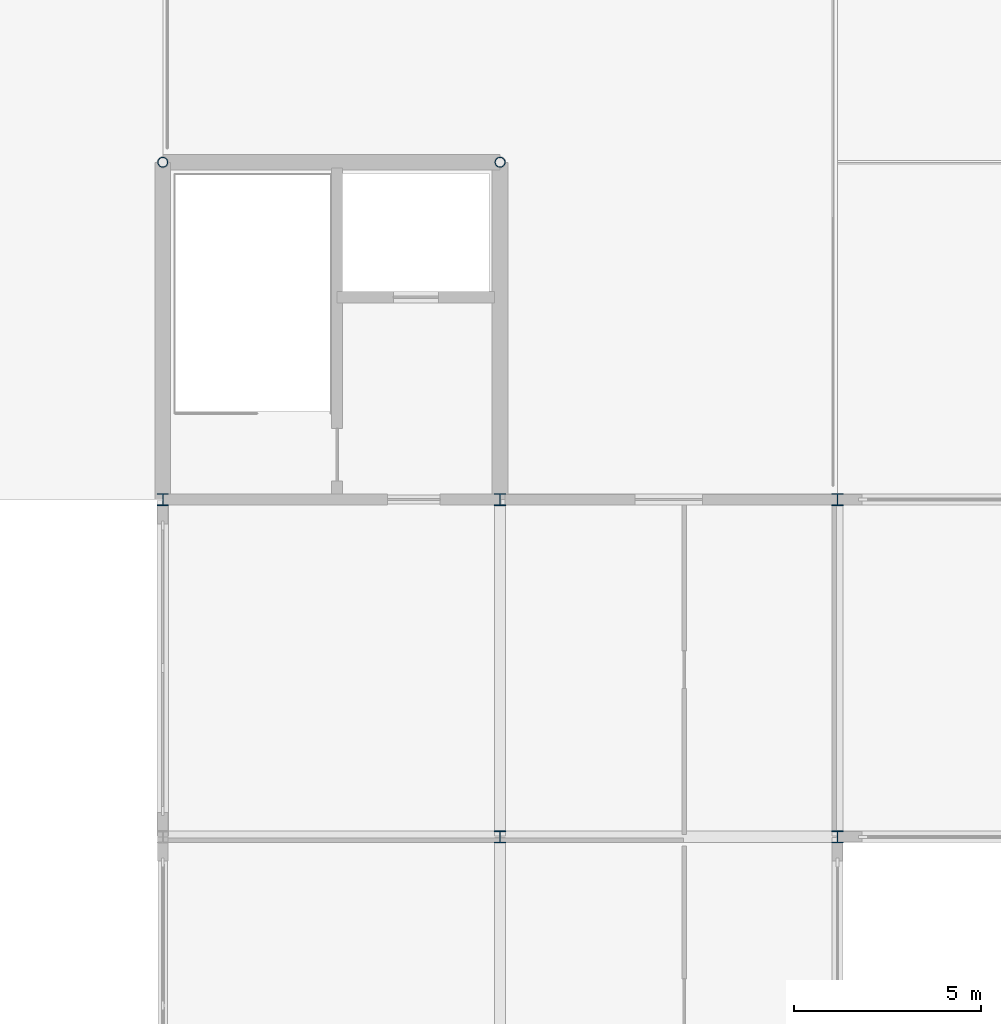
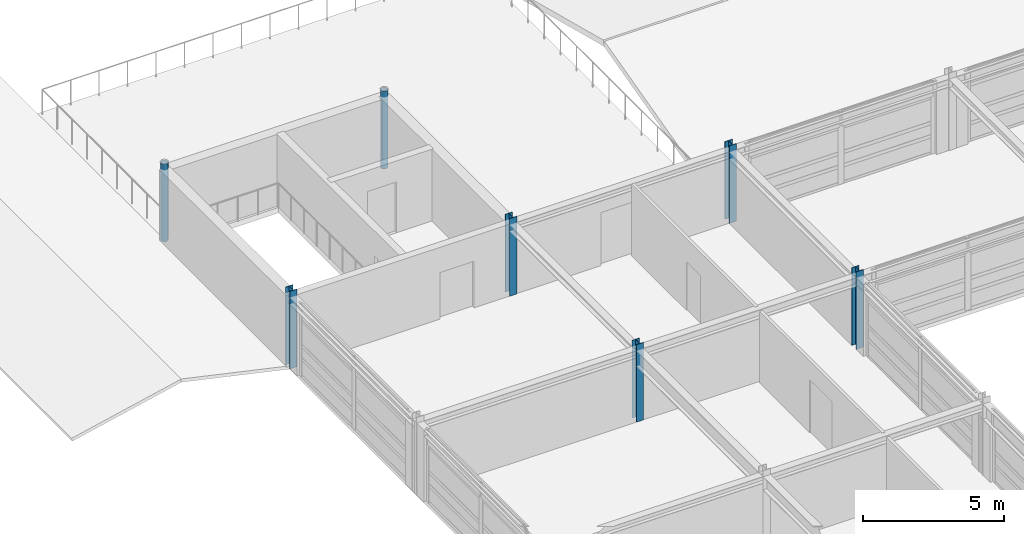
# One storey, part 6 of 91: 7 columns.
"""IFC4 building model written with IfcOpenShell, lengths in metres."""

import ifcopenshell
import ifcopenshell.guid

model = None  # the IFC model being written
_history = None  # IfcOwnerHistory: only IFC2X3 demands one
_inside = {}  # id of a spatial element -> (the spatial element, [elements in it])
_under = {}  # id of a project, library or spatial element -> (it, [spatial elements below it])
_declared = {}  # id of a project -> (the project, [libraries it declares])
_typed = {}  # id of a type object -> (the type object, [elements of that type])
_made_of = {}  # id of a material, layer set ... -> (it, [elements and type objects made of it])


def new_model(schema):
    """Start an empty IFC model of exactly this schema.

    Asked for "IFC4X3", IfcOpenShell would pick the latest addendum, in which some entities
    have other attributes; the version numbers below select the first issue.
    IFC2X3 requires an IfcOwnerHistory on every rooted entity: one is made here for all.
    """
    global model, _history
    if schema == "IFC4X3":
        model = ifcopenshell.file(schema_version=(4, 3, 0, 0))
    else:
        model = ifcopenshell.file(schema=schema)
    _inside.clear()
    _under.clear()
    _declared.clear()
    _typed.clear()
    _made_of.clear()
    _history = None
    if model.schema == "IFC2X3":
        org = make("IfcOrganization", Name="unknown")
        user = make(
            "IfcPersonAndOrganization",
            ThePerson=make("IfcPerson", FamilyName="unknown"),
            TheOrganization=org,
        )
        app = make(
            "IfcApplication",
            ApplicationDeveloper=org,
            Version="unknown",
            ApplicationFullName="unknown",
            ApplicationIdentifier="unknown",
        )
        _history = make(
            "IfcOwnerHistory",
            OwningUser=user,
            OwningApplication=app,
            ChangeAction="ADDED",
            CreationDate=0,
        )
    return model


def make(cls, **values):
    """One entity of the class cls with the attributes given. An attribute that is None is left unset."""
    return model.create_entity(
        cls, **{name: value for name, value in values.items() if value is not None}
    )


def rooted(cls, **values):
    """An entity with a GlobalId (a new one), such as an element, a storey or a relation."""
    return make(cls, GlobalId=ifcopenshell.guid.new(), OwnerHistory=_history, **values)


def si_unit(unit_type, name, prefix=None):
    """IfcSIUnit, for example si_unit("LENGTHUNIT", "METRE", prefix="MILLI")."""
    return make("IfcSIUnit", UnitType=unit_type, Prefix=prefix, Name=name)


def assignment(units):
    """IfcUnitAssignment: the units of a project."""
    return None if units is None else make("IfcUnitAssignment", Units=units)


def point(xyz):
    """IfcCartesianPoint."""
    return None if xyz is None else make("IfcCartesianPoint", Coordinates=xyz)


def direction(xyz):
    """IfcDirection."""
    return None if xyz is None else make("IfcDirection", DirectionRatios=xyz)


def frame(location, z_axis=None, x_axis=None):
    """IfcAxis2Placement3D, a coordinate frame: its origin and axes. An axis left out is left unset."""
    return make(
        "IfcAxis2Placement3D",
        Location=point(location),
        Axis=direction(z_axis),
        RefDirection=direction(x_axis),
    )


def frame_2d(location, x_axis=None):
    """IfcAxis2Placement2D, a coordinate frame in the plane: its origin and x axis."""
    return make(
        "IfcAxis2Placement2D", Location=point(location), RefDirection=direction(x_axis)
    )


def origin():
    """The frame at (0, 0, 0) with its axes left unset."""
    return frame((0.0, 0.0, 0.0))


def origin_2d():
    """The frame at (0, 0) in the plane with its x axis left unset."""
    return frame_2d((0.0, 0.0))


def place(relative_to, where):
    """IfcLocalPlacement: puts the frame where relative to a parent placement (None: the world)."""
    return make(
        "IfcLocalPlacement", PlacementRelTo=relative_to, RelativePlacement=where
    )


def context(
    kind, dimensions, precision=None, world=None, true_north=None, identifier=None
):
    """IfcGeometricRepresentationContext, for example the 3D "Model" context."""
    return make(
        "IfcGeometricRepresentationContext",
        ContextIdentifier=identifier,
        ContextType=kind,
        CoordinateSpaceDimension=dimensions,
        Precision=precision,
        WorldCoordinateSystem=world,
        TrueNorth=true_north,
    )


def subcontext(parent, identifier, kind, view, scale=None):
    """IfcGeometricRepresentationSubContext, for example "Body" below "Model"."""
    return make(
        "IfcGeometricRepresentationSubContext",
        ContextIdentifier=identifier,
        ContextType=kind,
        ParentContext=parent,
        TargetScale=scale,
        TargetView=view,
    )


def project(units=None, contexts=None):
    """IfcProject with its units and contexts."""
    return rooted(
        "IfcProject",
        Name="project",
        RepresentationContexts=contexts,
        UnitsInContext=assignment(units),
    )


def spatial(cls, under=None, at=None, **own):
    """A site, building, storey or space (cls), placed at a placement, below another one or the project."""
    s = rooted(cls, ObjectPlacement=at, **own)
    if under is not None:
        _under.setdefault(under.id(), (under, []))[1].append(s)
    return s


def profile(cls, at=None, kind="AREA", **sizes):
    """A parametric profile (cls). Its sizes go by their IFC names, for example OverallWidth=200.0."""
    return make(cls, ProfileType=kind, Position=at, **sizes)


def hollow_circle(**sizes):
    """IfcCircleHollowProfileDef."""
    return profile("IfcCircleHollowProfileDef", **sizes)


def i_section(**sizes):
    """IfcIShapeProfileDef."""
    return profile("IfcIShapeProfileDef", **sizes)


def extrude(swept, where, along, depth):
    """IfcExtrudedAreaSolid: the profile swept, set in the frame where, extruded along a direction by depth."""
    return make(
        "IfcExtrudedAreaSolid",
        SweptArea=swept,
        Position=where,
        ExtrudedDirection=direction(along),
        Depth=depth,
    )


def shape(context_of_items, identifier, shape_type, items):
    """IfcShapeRepresentation: the items that make up one representation, for example the "Body"."""
    return make(
        "IfcShapeRepresentation",
        ContextOfItems=context_of_items,
        RepresentationIdentifier=identifier,
        RepresentationType=shape_type,
        Items=items,
    )


def material(Name=None, Category=None):
    """IfcMaterial."""
    return make("IfcMaterial", Name=Name, Category=Category)


def material_profile(
    of_material, cross_section, Name=None, Category=None, Priority=None
):
    """IfcMaterialProfile: a cross section and its material."""
    return make(
        "IfcMaterialProfile",
        Name=Name,
        Material=of_material,
        Profile=cross_section,
        Priority=Priority,
        Category=Category,
    )


def profile_set(profiles, Name=None, composite=None):
    """IfcMaterialProfileSet."""
    return make(
        "IfcMaterialProfileSet",
        Name=Name,
        MaterialProfiles=profiles,
        CompositeProfile=composite,
    )


def made_of(thing, what):
    """Note that an element or type object is made of a material, layer set ...; save() writes the relation."""
    if what is not None:
        _made_of.setdefault(what.id(), (what, []))[1].append(thing)
    return thing


def type_object(cls, material=None, **own):
    """A type object (cls), such as IfcWallType, which elements share."""
    return made_of(rooted(cls, **own), material)


def element(
    cls,
    number,
    at=None,
    inside=None,
    cuts=None,
    type_object=None,
    material=None,
    context=None,
    identifier="Body",
    shape_type=None,
    held_by="IfcProductDefinitionShape",
    body=None,
    shapes=None,
    **own,
):
    """One element of the class cls, such as IfcWall. Its Tag is "e" and its number.

    at: its placement. inside: the storey or other place that contains it. cuts: it is an
    opening in that element (IfcRelVoidsElement). A single representation is given by context,
    identifier, shape_type and body (its items); several are given by shapes. held_by: the class
    of the entity that holds the representations. save() writes the other relations.
    """
    e = rooted(cls, Tag="e%d" % number, ObjectPlacement=at, **own)
    if body is not None:
        shapes = [shape(context, identifier, shape_type, body)]
    if shapes is not None:
        e.Representation = make(held_by, Representations=shapes)
    if inside is not None:
        _inside.setdefault(inside.id(), (inside, []))[1].append(e)
    if cuts is not None:
        rooted(
            "IfcRelVoidsElement", RelatingBuildingElement=cuts, RelatedOpeningElement=e
        )
    if type_object is not None:
        _typed.setdefault(type_object.id(), (type_object, []))[1].append(e)
    return made_of(e, material)


def aggregate(whole, parts):
    """IfcRelAggregates: a whole, such as a stair, and the parts it consists of."""
    return rooted("IfcRelAggregates", RelatingObject=whole, RelatedObjects=parts)


def save(model, path):
    """Write the relations noted so far, then the file.

    IfcRelAggregates (storeys below a building ...), IfcRelContainedInSpatialStructure (elements
    in a storey), IfcRelDefinesByType, IfcRelAssociatesMaterial and IfcRelDeclares: one each for
    every whole, place, type object, material and project.
    """
    for whole, parts in _under.values():
        aggregate(whole, parts)
    for where, things in _inside.values():
        rooted(
            "IfcRelContainedInSpatialStructure",
            RelatedElements=things,
            RelatingStructure=where,
        )
    for kind, things in _typed.values():
        rooted("IfcRelDefinesByType", RelatedObjects=things, RelatingType=kind)
    for what, things in _made_of.values():
        rooted("IfcRelAssociatesMaterial", RelatedObjects=things, RelatingMaterial=what)
    for by, libraries in _declared.values():
        rooted("IfcRelDeclares", RelatingContext=by, RelatedDefinitions=libraries)
    model.write(path)


model = new_model("IFC4")

# Units and contexts
model_context = context("Model", 3, precision=1e-05, world=origin(), true_north=direction((0.0, 1.0)))
body_context = subcontext(model_context, "Body", "Model", "MODEL_VIEW")
ifc_project = project(units=[si_unit("LENGTHUNIT", "METRE"), si_unit("AREAUNIT", "SQUARE_METRE"), si_unit("VOLUMEUNIT", "CUBIC_METRE"), si_unit("PLANEANGLEUNIT", "RADIAN"), si_unit("MASSUNIT", "GRAM", prefix="KILO")], contexts=[model_context])

# Site, building, storey
site_placement = place(None, origin())
site = spatial("IfcSite", under=ifc_project, at=site_placement, CompositionType="ELEMENT")
building_placement = place(site_placement, origin())
building = spatial("IfcBuilding", under=site, at=building_placement, Name="Palais des Congres Ocreval", CompositionType="ELEMENT")
storey_placement = place(building_placement, frame((0.0, 0.0, 8.159912109375)))
storey = spatial("IfcBuildingStorey", under=building, at=storey_placement, Name="L02", CompositionType="ELEMENT", Elevation=8.159912109375)

# Columns
ifc_material = material(Name="Steel S355", Category="steel")
ifc_material_profile_1 = material_profile(ifc_material, hollow_circle(Radius=0.136474609375, WallThickness=0.012451171875, at=origin_2d()), Name="CHS 273x12.5")
ifc_profile_set_1 = profile_set([ifc_material_profile_1], Name="Steel S355")
column_type_1 = type_object("IfcColumnType", Name="Column CHS 273x12.5 Steel S355", PredefinedType="COLUMN", material=ifc_profile_set_1)
for number, where, z_axis, x_axis, name in (
    (1, (108.0, 54.0, 0.0), (0.0, 0.0, 1.0), (1.0, 0.0, 0.0), "Column C17 L02"),
    (2, (117.0, 54.0, 0.0), (0.0, 0.0, 1.0), (1.0, 0.0, 0.0), "Column C17 L02"),
):
    element("IfcColumn", number, at=place(storey_placement, frame(where, z_axis=z_axis, x_axis=x_axis)), inside=storey, type_object=column_type_1, Name=name, PredefinedType="COLUMN", context=body_context, shape_type="SweptSolid", body=[
        extrude(hollow_circle(Radius=0.136474609375, WallThickness=0.012451171875, at=origin_2d()), origin(), (0.0, 0.0, 1.0), 3.360107421875),
    ])
ifc_material_profile_2 = material_profile(ifc_material, i_section(OverallWidth=0.300048828125, OverallDepth=0.320068359375, WebThickness=0.011474609375, FlangeThickness=0.0205078125, at=origin_2d()), Name="HEB 320")
ifc_profile_set_2 = profile_set([ifc_material_profile_2], Name="Steel S355")
column_type_2 = type_object("IfcColumnType", Name="Column HEB 320 Steel S355", PredefinedType="COLUMN", material=ifc_profile_set_2)
for number, where, z_axis, x_axis, name in (
    (3, (108.0, 45.0, 0.0), (0.0, 0.0, 1.0), (1.0, 0.0, 0.0), "Column C12 L02"),
    (4, (117.0, 36.0, 0.0), (0.0, 0.0, 1.0), (1.0, 0.0, 0.0), "Column C12 L02"),
    (5, (117.0, 45.0, 0.0), (0.0, 0.0, 1.0), (1.0, 0.0, 0.0), "Column C12 L02"),
    (6, (126.0, 36.0, 0.0), (0.0, 0.0, 1.0), (1.0, 0.0, 0.0), "Column C12 L02"),
    (7, (126.0, 45.0, 0.0), (0.0, 0.0, 1.0), (1.0, 0.0, 0.0), "Column C12 L02"),
):
    element("IfcColumn", number, at=place(storey_placement, frame(where, z_axis=z_axis, x_axis=x_axis)), inside=storey, type_object=column_type_2, Name=name, PredefinedType="COLUMN", context=body_context, shape_type="SweptSolid", body=[
        extrude(i_section(OverallWidth=0.300048828125, OverallDepth=0.320068359375, WebThickness=0.011474609375, FlangeThickness=0.0205078125, at=origin_2d()), origin(), (0.0, 0.0, 1.0), 3.360107421875),
    ])

save(model, "model.ifc")
